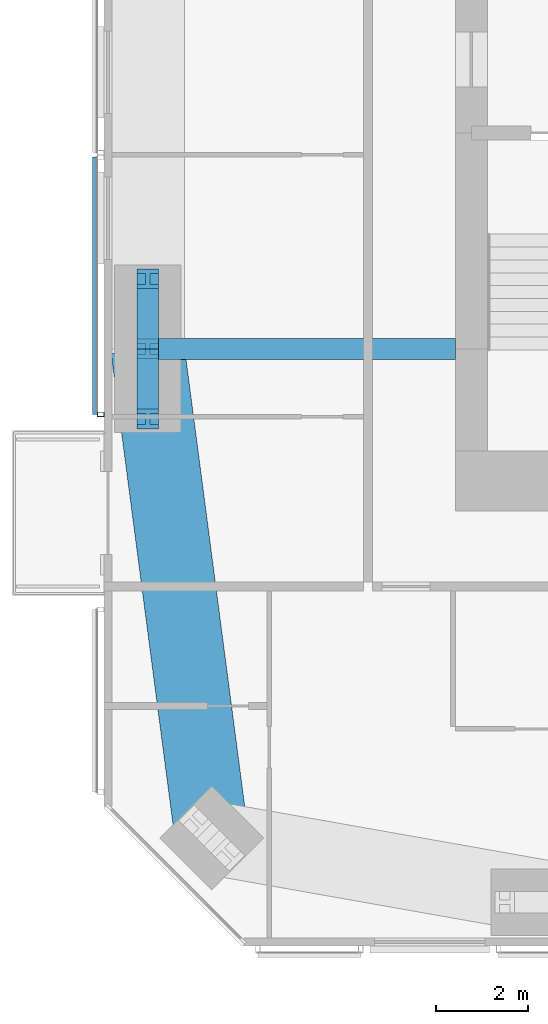
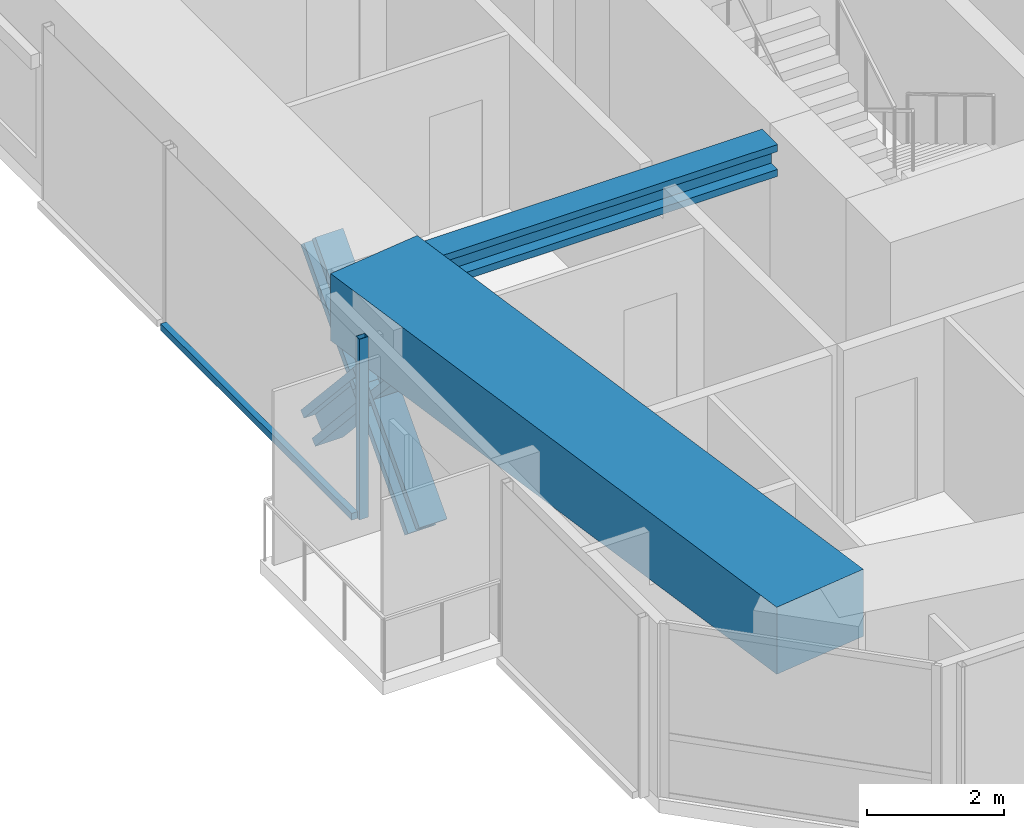
# One storey, part 3 of 23: 6 members, 2 beams, 1 element without a shape of its own.
"""IFC4 building model written with IfcOpenShell, lengths in metres."""

from ifc_helpers import new_model, si_unit, direction, frame, origin, origin_2d, place, context, subcontext, project, spatial, rectangle, hollow_rectangle, i_section, extrude, material, material_profile, profile_set, type_object, element, aggregate, save


model = new_model("IFC4")

# Units and contexts
model_context = context("Model", 3, precision=1e-05, world=origin(), true_north=direction((0.0, 1.0)))
body_context = subcontext(model_context, "Body", "Model", "MODEL_VIEW")
ifc_project = project(units=[si_unit("LENGTHUNIT", "METRE"), si_unit("AREAUNIT", "SQUARE_METRE"), si_unit("VOLUMEUNIT", "CUBIC_METRE"), si_unit("PLANEANGLEUNIT", "RADIAN"), si_unit("MASSUNIT", "GRAM", prefix="KILO")], contexts=[model_context])

# Site, building, storey
site_placement = place(None, origin())
site = spatial("IfcSite", under=ifc_project, at=site_placement, CompositionType="ELEMENT")
building_placement = place(site_placement, origin())
building = spatial("IfcBuilding", under=site, at=building_placement, Name="Jalousie Tower", CompositionType="ELEMENT")
storey_placement = place(building_placement, frame((0.0, 0.0, 187.85009765625)))
storey = spatial("IfcBuildingStorey", under=building, at=storey_placement, Name="L51", CompositionType="ELEMENT", Elevation=187.85009765625)

# Beam
ifc_material_1 = material(Name="Steel ASTM A992 Grade 50", Category="steel")
ifc_material_profile_1 = material_profile(ifc_material_1, i_section(OverallWidth=0.45458984375, OverallDepth=0.569091796875, WebThickness=0.077880859375, FlangeThickness=0.124755859375, at=origin_2d()), Name="W14X730")
ifc_profile_set_1 = profile_set([ifc_material_profile_1], Name="Steel ASTM A992 Grade 50")
beam_type_1 = type_object("IfcBeamType", Name="LEAN COLLECTOR W14X730", PredefinedType="BEAM", material=ifc_profile_set_1)
beam_1_placement = place(storey_placement, frame((12.949951171875, 13.0, 2.825439453125), z_axis=(1.0, 0.0, 0.0), x_axis=(0.0, 1.0, 0.0)))
element("IfcBeam", 1, at=beam_1_placement, inside=storey, type_object=beam_type_1, Name="Lean collector under L52", PredefinedType="BEAM", context=body_context, shape_type="SweptSolid", body=[
    extrude(i_section(OverallWidth=0.45458984375, OverallDepth=0.569091796875, WebThickness=0.077880859375, FlangeThickness=0.124755859375, at=origin_2d()), origin(), (0.0, 0.0, 1.0), 6.699951171875),
])

# Members
ifc_material_2 = material(Name="Steel ASTM A992 Grade 50", Category="steel")
ifc_material_profile_2 = material_profile(ifc_material_2, i_section(OverallWidth=0.472412109375, OverallDepth=0.5791015625, WebThickness=0.094970703125, FlangeThickness=0.1298828125, at=origin_2d()), Name="W14X808")
ifc_profile_set_2 = profile_set([ifc_material_profile_2], Name="Steel ASTM A992 Grade 50")
member_type_1 = type_object("IfcMemberType", Name="PERIMETER BRACE W14X808", PredefinedType="BRACE", material=ifc_profile_set_2)
for number, where, z_axis, x_axis, name in (
    (2, (12.949951171875, 11.47509765625, -0.60009765625), (0.0, 0.673187629365, 0.739471713908), (-1.0, 0.0, 0.0), "Perimeter brace 14 L51 part 1"),
    (3, (12.949951171875, 13.0, 1.074951171875), (0.0, 0.673187629365, 0.739471713908), (-1.0, 0.0, 0.0), "Perimeter brace 14 L51 part 2"),
    (4, (12.949951171875, 14.52490234375, -0.60009765625), (0.0, -0.673187629365, 0.739471713908), (1.0, 0.0, 0.0), "Perimeter brace 14 L51 part 3"),
    (5, (12.949951171875, 13.0, 1.074951171875), (0.0, -0.673187629365, 0.739471713908), (1.0, 0.0, 0.0), "Perimeter brace 14 L51 part 4"),
):
    element("IfcMember", number, at=place(storey_placement, frame(where, z_axis=z_axis, x_axis=x_axis)), inside=storey, type_object=member_type_1, Name=name, PredefinedType="BRACE", context=body_context, shape_type="SweptSolid", body=[
        extrude(i_section(OverallWidth=0.472412109375, OverallDepth=0.5791015625, WebThickness=0.094970703125, FlangeThickness=0.1298828125, at=origin_2d()), origin(), (0.0, 0.0, 1.0), 2.26513671875),
    ])

# Beam
ifc_material_3 = material(Name="Concrete f'c 40 MPa", Category="concrete")
ifc_material_profile_3 = material_profile(ifc_material_3, rectangle(XDim=1.60009765625, YDim=1.199951171875, at=origin_2d()), Name="RC 1600x1200")
ifc_profile_set_3 = profile_set([ifc_material_profile_3], Name="Concrete f'c 40 MPa")
beam_type_2 = type_object("IfcBeamType", Name="RC BEAM 1600x1200", PredefinedType="BEAM", material=ifc_profile_set_3)
beam_2_placement = place(storey_placement, frame((12.949951171875, 13.0, 2.75), z_axis=(0.130171745558, -0.991491460709, 0.0), x_axis=(0.991491460709, 0.130171745558, 0.0)))
element("IfcBeam", 6, at=beam_2_placement, inside=storey, type_object=beam_type_2, Name="Edge band beam 14-01 under L52", PredefinedType="BEAM", context=body_context, shape_type="SweptSolid", body=[
    extrude(rectangle(XDim=1.60009765625, YDim=1.199951171875, at=origin_2d()), origin(), (0.0, 0.0, 1.0), 10.742919921875),
])

# Curtain wall, members
ifc_material_4 = material(Name="Perforated aluminium sheet", Category="aluminium")
curtain_wall_type = type_object("IfcCurtainWallType", Name="SOLAR SCREEN SS-1", PredefinedType="USERDEFINED", material=ifc_material_4)
curtain_wall_placement = place(storey_placement, origin())
curtain_wall = element("IfcCurtainWall", 7, at=curtain_wall_placement, inside=storey, type_object=curtain_wall_type, Name="Solar screen L51", ObjectType="SOLAR SCREEN SS-1", PredefinedType="USERDEFINED")
ifc_material_5 = material(Name="Steel ASTM A500 Grade C", Category="steel")
ifc_material_profile_4 = material_profile(ifc_material_5, hollow_rectangle(XDim=0.1015625, YDim=0.15234375, WallThickness=0.00634765625, at=origin_2d()), Name="HSS6X4X1/4")
ifc_profile_set_4 = profile_set([ifc_material_profile_4], Name="Steel ASTM A500 Grade C")
member_type_2 = type_object("IfcMemberType", Name="SOLAR SCREEN SS-1 MULLION", PredefinedType="MULLION", material=ifc_profile_set_4)
member_1_placement = place(storey_placement, frame((11.9287109375, 11.574951171875, -0.1201171875), z_axis=(0.0, 0.0, 1.0), x_axis=(0.0, -1.0, 0.0)))
member_1 = element("IfcMember", 8, at=member_1_placement, type_object=member_type_2, Name="SS1 post 2", PredefinedType="MULLION", context=body_context, shape_type="SweptSolid", body=[
    extrude(hollow_rectangle(XDim=0.1015625, YDim=0.15234375, WallThickness=0.00634765625, at=origin_2d()), origin(), (0.0, 0.0, 1.0), 3.22998046875),
])
ifc_material_6 = material(Name="Extruded aluminium screen rail", Category="aluminium")
ifc_material_profile_5 = material_profile(ifc_material_6, rectangle(XDim=0.1015625, YDim=0.1201171875, at=origin_2d()), Name="RAIL 102x120")
ifc_profile_set_5 = profile_set([ifc_material_profile_5], Name="Extruded aluminium screen rail")
member_type_3 = type_object("IfcMemberType", Name="SOLAR SCREEN SS-1 TRANSOM", PredefinedType="USERDEFINED", material=ifc_profile_set_5)
member_2_placement = place(storey_placement, frame((11.8017578125, 17.175048828125, -0.06005859375), z_axis=(0.0, -1.0, 0.0), x_axis=(1.0, 0.0, 0.0)))
member_2 = element("IfcMember", 9, at=member_2_placement, type_object=member_type_3, Name="SS1 rail", ObjectType="TRANSOM", PredefinedType="USERDEFINED", context=body_context, shape_type="SweptSolid", body=[
    extrude(rectangle(XDim=0.1015625, YDim=0.1201171875, at=origin_2d()), origin(), (0.0, 0.0, 1.0), 5.60009765625),
])
aggregate(curtain_wall, [member_1, member_2])

save(model, "model.ifc")
